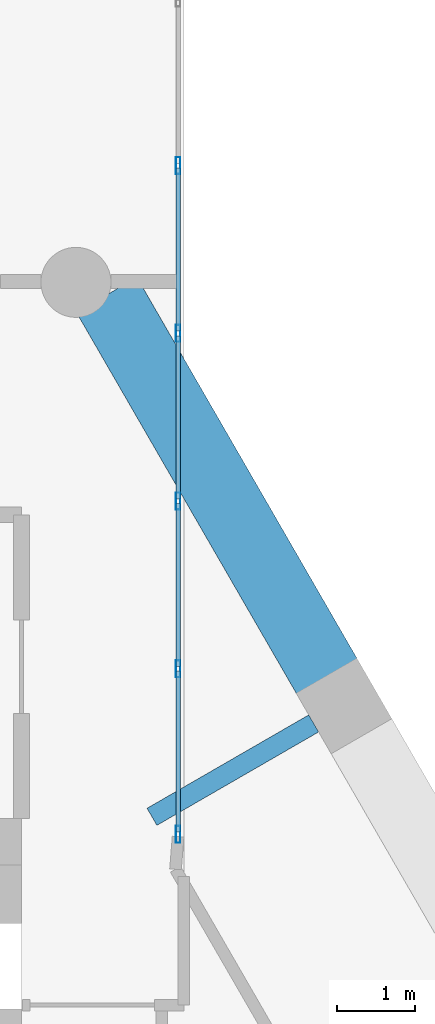
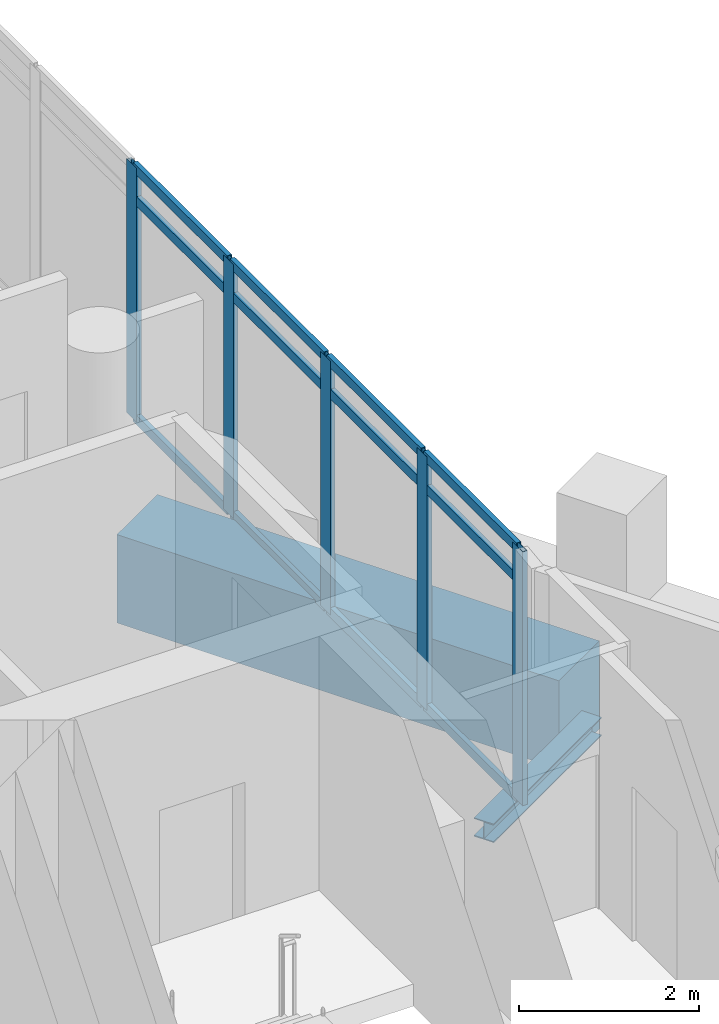
# One storey, part 12 of 25: 17 members, 2 beams, 1 element without a shape of its own.
"""IFC4 building model written with IfcOpenShell, lengths in metres."""

from ifc_helpers import new_model, si_unit, direction, frame, origin, origin_2d, place, context, subcontext, project, spatial, rectangle, hollow_rectangle, i_section, extrude, material, material_profile, profile_set, type_object, element, aggregate, save


model = new_model("IFC4")

# Units and contexts
model_context = context("Model", 3, precision=1e-05, world=origin(), true_north=direction((0.0, 1.0)))
body_context = subcontext(model_context, "Body", "Model", "MODEL_VIEW")
ifc_project = project(units=[si_unit("LENGTHUNIT", "METRE"), si_unit("AREAUNIT", "SQUARE_METRE"), si_unit("VOLUMEUNIT", "CUBIC_METRE"), si_unit("PLANEANGLEUNIT", "RADIAN"), si_unit("MASSUNIT", "GRAM", prefix="KILO")], contexts=[model_context])

# Site, building, storey
site_placement = place(None, origin())
site = spatial("IfcSite", under=ifc_project, at=site_placement, CompositionType="ELEMENT")
building_placement = place(site_placement, origin())
building = spatial("IfcBuilding", under=site, at=building_placement, Name="Ostrander Bayou Hotel Tower", CompositionType="ELEMENT")
storey_placement = place(building_placement, frame((0.0, 0.0, 229.5)))
storey = spatial("IfcBuildingStorey", under=building, at=storey_placement, Name="L57", CompositionType="ELEMENT", Elevation=229.5)

# Curtain wall, members
ifc_material_1 = material(Name="Aluminium and clear glass", Category="aluminium")
curtain_wall_type = type_object("IfcCurtainWallType", Name="CW-BAR glazed wall", PredefinedType="NOTDEFINED", material=ifc_material_1)
curtain_wall_placement = place(storey_placement, origin())
curtain_wall = element("IfcCurtainWall", 1, at=curtain_wall_placement, inside=storey, type_object=curtain_wall_type, Name="CW-BAR L57:SB5N:W", PredefinedType="NOTDEFINED")
ifc_material_2 = material(Name="Aluminium", Category="aluminium")
ifc_material_profile_1 = material_profile(ifc_material_2, hollow_rectangle(XDim=0.06005859375, YDim=0.219970703125, WallThickness=0.00390625, at=origin_2d()))
ifc_profile_set_1 = profile_set([ifc_material_profile_1], Name="Aluminium")
member_type_1 = type_object("IfcMemberType", Name="CW-BR mullion 60 x 220 mm", PredefinedType="MULLION", material=ifc_profile_set_1)
member_1_placement = place(storey_placement, frame((10.51220703125, 9.4951171875, 0.0), z_axis=(0.0, 0.0, 1.0), x_axis=(-1.0, 0.0, 0.0)))
member_1 = element("IfcMember", 2, at=member_1_placement, type_object=member_type_1, Name="CW-BAR mullion 1", PredefinedType="MULLION", context=body_context, shape_type="SweptSolid", body=[
    extrude(hollow_rectangle(XDim=0.06005859375, YDim=0.219970703125, WallThickness=0.00390625, at=origin_2d()), origin(), (0.0, 0.0, 1.0), 3.449951171875),
])
member_2_placement = place(storey_placement, frame((10.51220703125, 11.620849609375, 0.0), z_axis=(0.0, 0.0, 1.0), x_axis=(-1.0, 0.0, 0.0)))
member_2 = element("IfcMember", 3, at=member_2_placement, type_object=member_type_1, Name="CW-BAR mullion 2", PredefinedType="MULLION", context=body_context, shape_type="SweptSolid", body=[
    extrude(hollow_rectangle(XDim=0.06005859375, YDim=0.219970703125, WallThickness=0.00390625, at=origin_2d()), origin(), (0.0, 0.0, 1.0), 3.449951171875),
])
member_3_placement = place(storey_placement, frame((10.51220703125, 13.7763671875, 0.0), z_axis=(0.0, 0.0, 1.0), x_axis=(-1.0, 0.0, 0.0)))
member_3 = element("IfcMember", 4, at=member_3_placement, type_object=member_type_1, Name="CW-BAR mullion 3", PredefinedType="MULLION", context=body_context, shape_type="SweptSolid", body=[
    extrude(hollow_rectangle(XDim=0.06005859375, YDim=0.219970703125, WallThickness=0.00390625, at=origin_2d()), origin(), (0.0, 0.0, 1.0), 3.449951171875),
])
member_4_placement = place(storey_placement, frame((10.51220703125, 15.93212890625, 0.0), z_axis=(0.0, 0.0, 1.0), x_axis=(-1.0, 0.0, 0.0)))
member_4 = element("IfcMember", 5, at=member_4_placement, type_object=member_type_1, Name="CW-BAR mullion 4", PredefinedType="MULLION", context=body_context, shape_type="SweptSolid", body=[
    extrude(hollow_rectangle(XDim=0.06005859375, YDim=0.219970703125, WallThickness=0.00390625, at=origin_2d()), origin(), (0.0, 0.0, 1.0), 3.449951171875),
])
member_5_placement = place(storey_placement, frame((10.51220703125, 18.087890625, 0.0), z_axis=(0.0, 0.0, 1.0), x_axis=(-1.0, 0.0, 0.0)))
member_5 = element("IfcMember", 6, at=member_5_placement, type_object=member_type_1, Name="CW-BAR mullion 5", PredefinedType="MULLION", context=body_context, shape_type="SweptSolid", body=[
    extrude(hollow_rectangle(XDim=0.06005859375, YDim=0.219970703125, WallThickness=0.00390625, at=origin_2d()), origin(), (0.0, 0.0, 1.0), 3.449951171875),
])
ifc_material_3 = material(Name="Aluminium", Category="aluminium")
ifc_material_profile_2 = material_profile(ifc_material_3, hollow_rectangle(XDim=0.06005859375, YDim=0.1298828125, WallThickness=0.00390625, at=origin_2d()))
ifc_profile_set_2 = profile_set([ifc_material_profile_2], Name="Aluminium")
member_type_2 = type_object("IfcMemberType", Name="CW-BR transom 60 x 130 mm", PredefinedType="USERDEFINED", material=ifc_profile_set_2)
member_6_placement = place(storey_placement, frame((10.51220703125, 9.52490234375, 0.030029296875), z_axis=(0.0, 1.0, 0.0), x_axis=(-1.0, 0.0, 0.0)))
member_6 = element("IfcMember", 7, at=member_6_placement, type_object=member_type_2, Name="CW-BAR transom 1.1", ObjectType="TRANSOM", PredefinedType="USERDEFINED", context=body_context, shape_type="SweptSolid", body=[
    extrude(hollow_rectangle(XDim=0.06005859375, YDim=0.1298828125, WallThickness=0.00390625, at=origin_2d()), origin(), (0.0, 0.0, 1.0), 2.06591796875),
])
member_7_placement = place(storey_placement, frame((10.51220703125, 9.52490234375, 3.0), z_axis=(0.0, 1.0, 0.0), x_axis=(-1.0, 0.0, 0.0)))
member_7 = element("IfcMember", 8, at=member_7_placement, type_object=member_type_2, Name="CW-BAR transom 1.2", ObjectType="TRANSOM", PredefinedType="USERDEFINED", context=body_context, shape_type="SweptSolid", body=[
    extrude(hollow_rectangle(XDim=0.06005859375, YDim=0.1298828125, WallThickness=0.00390625, at=origin_2d()), origin(), (0.0, 0.0, 1.0), 2.06591796875),
])
member_8_placement = place(storey_placement, frame((10.51220703125, 9.52490234375, 3.419921875), z_axis=(0.0, 1.0, 0.0), x_axis=(-1.0, 0.0, 0.0)))
member_8 = element("IfcMember", 9, at=member_8_placement, type_object=member_type_2, Name="CW-BAR transom 1.3", ObjectType="TRANSOM", PredefinedType="USERDEFINED", context=body_context, shape_type="SweptSolid", body=[
    extrude(hollow_rectangle(XDim=0.06005859375, YDim=0.1298828125, WallThickness=0.00390625, at=origin_2d()), origin(), (0.0, 0.0, 1.0), 2.06591796875),
])
member_9_placement = place(storey_placement, frame((10.51220703125, 11.650634765625, 0.030029296875), z_axis=(0.0, 1.0, 0.0), x_axis=(-1.0, 0.0, 0.0)))
member_9 = element("IfcMember", 10, at=member_9_placement, type_object=member_type_2, Name="CW-BAR transom 2.1", ObjectType="TRANSOM", PredefinedType="USERDEFINED", context=body_context, shape_type="SweptSolid", body=[
    extrude(hollow_rectangle(XDim=0.06005859375, YDim=0.1298828125, WallThickness=0.00390625, at=origin_2d()), origin(), (0.0, 0.0, 1.0), 2.095947265625),
])
member_10_placement = place(storey_placement, frame((10.51220703125, 11.650634765625, 3.0), z_axis=(0.0, 1.0, 0.0), x_axis=(-1.0, 0.0, 0.0)))
member_10 = element("IfcMember", 11, at=member_10_placement, type_object=member_type_2, Name="CW-BAR transom 2.2", ObjectType="TRANSOM", PredefinedType="USERDEFINED", context=body_context, shape_type="SweptSolid", body=[
    extrude(hollow_rectangle(XDim=0.06005859375, YDim=0.1298828125, WallThickness=0.00390625, at=origin_2d()), origin(), (0.0, 0.0, 1.0), 2.095947265625),
])
member_11_placement = place(storey_placement, frame((10.51220703125, 11.650634765625, 3.419921875), z_axis=(0.0, 1.0, 0.0), x_axis=(-1.0, 0.0, 0.0)))
member_11 = element("IfcMember", 12, at=member_11_placement, type_object=member_type_2, Name="CW-BAR transom 2.3", ObjectType="TRANSOM", PredefinedType="USERDEFINED", context=body_context, shape_type="SweptSolid", body=[
    extrude(hollow_rectangle(XDim=0.06005859375, YDim=0.1298828125, WallThickness=0.00390625, at=origin_2d()), origin(), (0.0, 0.0, 1.0), 2.095947265625),
])
member_12_placement = place(storey_placement, frame((10.51220703125, 13.806396484375, 0.030029296875), z_axis=(0.0, 1.0, 0.0), x_axis=(-1.0, 0.0, 0.0)))
member_12 = element("IfcMember", 13, at=member_12_placement, type_object=member_type_2, Name="CW-BAR transom 3.1", ObjectType="TRANSOM", PredefinedType="USERDEFINED", context=body_context, shape_type="SweptSolid", body=[
    extrude(hollow_rectangle(XDim=0.06005859375, YDim=0.1298828125, WallThickness=0.00390625, at=origin_2d()), origin(), (0.0, 0.0, 1.0), 2.095703125),
])
member_13_placement = place(storey_placement, frame((10.51220703125, 13.806396484375, 3.0), z_axis=(0.0, 1.0, 0.0), x_axis=(-1.0, 0.0, 0.0)))
member_13 = element("IfcMember", 14, at=member_13_placement, type_object=member_type_2, Name="CW-BAR transom 3.2", ObjectType="TRANSOM", PredefinedType="USERDEFINED", context=body_context, shape_type="SweptSolid", body=[
    extrude(hollow_rectangle(XDim=0.06005859375, YDim=0.1298828125, WallThickness=0.00390625, at=origin_2d()), origin(), (0.0, 0.0, 1.0), 2.095703125),
])
member_14_placement = place(storey_placement, frame((10.51220703125, 13.806396484375, 3.419921875), z_axis=(0.0, 1.0, 0.0), x_axis=(-1.0, 0.0, 0.0)))
member_14 = element("IfcMember", 15, at=member_14_placement, type_object=member_type_2, Name="CW-BAR transom 3.3", ObjectType="TRANSOM", PredefinedType="USERDEFINED", context=body_context, shape_type="SweptSolid", body=[
    extrude(hollow_rectangle(XDim=0.06005859375, YDim=0.1298828125, WallThickness=0.00390625, at=origin_2d()), origin(), (0.0, 0.0, 1.0), 2.095703125),
])
member_15_placement = place(storey_placement, frame((10.51220703125, 15.962158203125, 0.030029296875), z_axis=(0.0, 1.0, 0.0), x_axis=(-1.0, 0.0, 0.0)))
member_15 = element("IfcMember", 16, at=member_15_placement, type_object=member_type_2, Name="CW-BAR transom 4.1", ObjectType="TRANSOM", PredefinedType="USERDEFINED", context=body_context, shape_type="SweptSolid", body=[
    extrude(hollow_rectangle(XDim=0.06005859375, YDim=0.1298828125, WallThickness=0.00390625, at=origin_2d()), origin(), (0.0, 0.0, 1.0), 2.095703125),
])
member_16_placement = place(storey_placement, frame((10.51220703125, 15.962158203125, 3.0), z_axis=(0.0, 1.0, 0.0), x_axis=(-1.0, 0.0, 0.0)))
member_16 = element("IfcMember", 17, at=member_16_placement, type_object=member_type_2, Name="CW-BAR transom 4.2", ObjectType="TRANSOM", PredefinedType="USERDEFINED", context=body_context, shape_type="SweptSolid", body=[
    extrude(hollow_rectangle(XDim=0.06005859375, YDim=0.1298828125, WallThickness=0.00390625, at=origin_2d()), origin(), (0.0, 0.0, 1.0), 2.095703125),
])
member_17_placement = place(storey_placement, frame((10.51220703125, 15.962158203125, 3.419921875), z_axis=(0.0, 1.0, 0.0), x_axis=(-1.0, 0.0, 0.0)))
member_17 = element("IfcMember", 18, at=member_17_placement, type_object=member_type_2, Name="CW-BAR transom 4.3", ObjectType="TRANSOM", PredefinedType="USERDEFINED", context=body_context, shape_type="SweptSolid", body=[
    extrude(hollow_rectangle(XDim=0.06005859375, YDim=0.1298828125, WallThickness=0.00390625, at=origin_2d()), origin(), (0.0, 0.0, 1.0), 2.095703125),
])
aggregate(curtain_wall, [member_1, member_2, member_3, member_4, member_5, member_6, member_7, member_8, member_9, member_10, member_11, member_12, member_13, member_14, member_15, member_16, member_17])

# Beams
ifc_material_4 = material(Name="Steel ASTM A992", Category="steel")
ifc_material_profile_3 = material_profile(ifc_material_4, i_section(OverallWidth=0.25390625, OverallDepth=0.25341796875, WebThickness=0.008544921875, FlangeThickness=0.01416015625, at=origin_2d()))
ifc_profile_set_3 = profile_set([ifc_material_profile_3], Name="Steel ASTM A992")
beam_type_1 = type_object("IfcBeamType", Name="LB2 loggia bracket W10x49", PredefinedType="BEAM", material=ifc_profile_set_3)
beam_1_placement = place(storey_placement, frame((12.254638671875, 10.919677734375, -0.4267578125), z_axis=(-0.866024647952, -0.500001309137, 0.0), x_axis=(0.500001309137, -0.866024647952, 0.0)))
element("IfcBeam", 19, at=beam_1_placement, inside=storey, type_object=beam_type_1, Name="LB2 L57 NE2", PredefinedType="BEAM", context=body_context, shape_type="SweptSolid", body=[
    extrude(i_section(OverallWidth=0.25390625, OverallDepth=0.25341796875, WebThickness=0.008544921875, FlangeThickness=0.01416015625, at=origin_2d()), origin(), (0.0, 0.0, 1.0), 2.39990234375),
])
ifc_material_5 = material(Name="Concrete f'c 60 MPa", Category="concrete")
ifc_material_profile_4 = material_profile(ifc_material_5, rectangle(XDim=0.89990234375, YDim=1.199951171875, at=origin_2d()))
ifc_profile_set_4 = profile_set([ifc_material_profile_4], Name="Concrete f'c 60 MPa")
beam_type_2 = type_object("IfcBeamType", Name="SP4 spandrel beam 900 x 1200 mm f'c 60 MPa", PredefinedType="SPANDREL", material=ifc_profile_set_4)
beam_2_placement = place(storey_placement, frame((12.434326171875, 11.50830078125, -0.60009765625), z_axis=(-0.499994028088, 0.866028851642, 0.0), x_axis=(-0.866028851642, -0.499994028088, 0.0)))
element("IfcBeam", 20, at=beam_2_placement, inside=storey, type_object=beam_type_2, Name="SP4 L57 NE-3", PredefinedType="SPANDREL", context=body_context, shape_type="SweptSolid", body=[
    extrude(rectangle(XDim=0.89990234375, YDim=1.199951171875, at=origin_2d()), origin(), (0.0, 0.0, 1.0), 5.6806640625),
])

save(model, "model.ifc")
